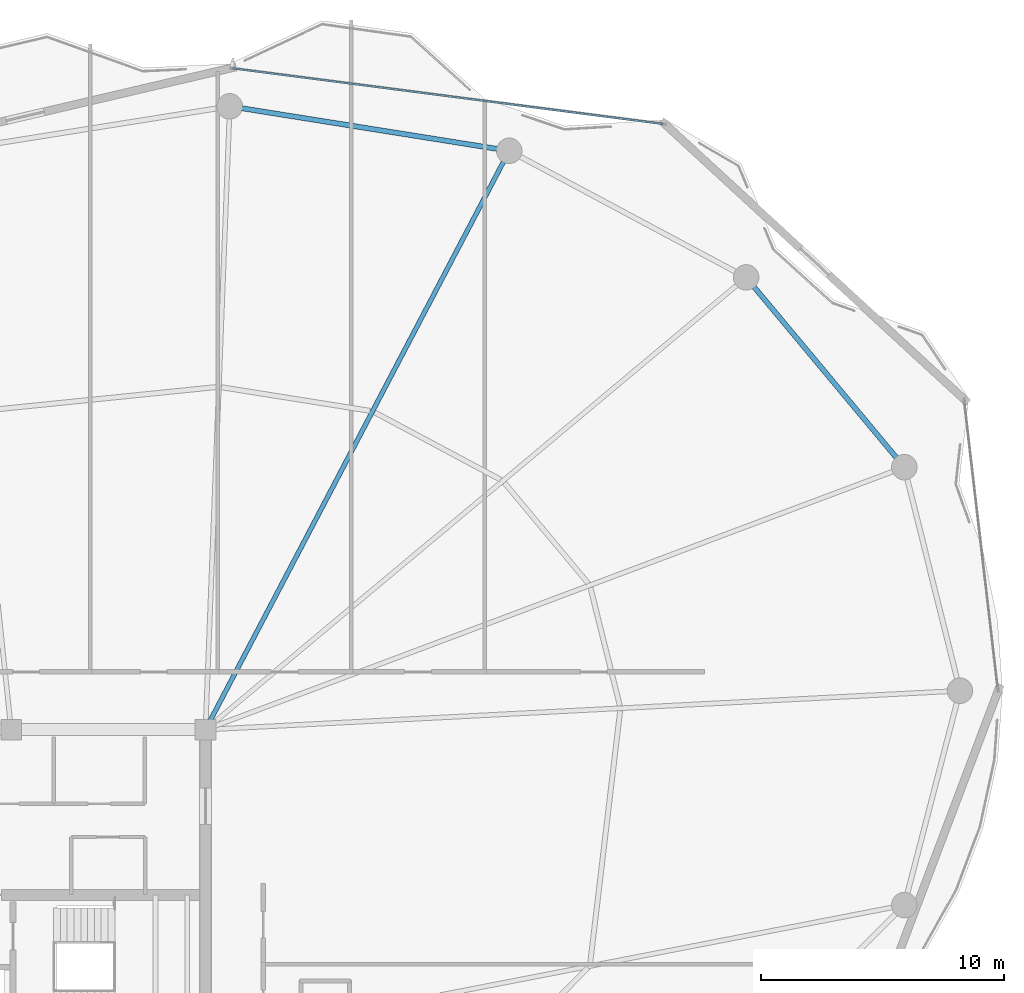
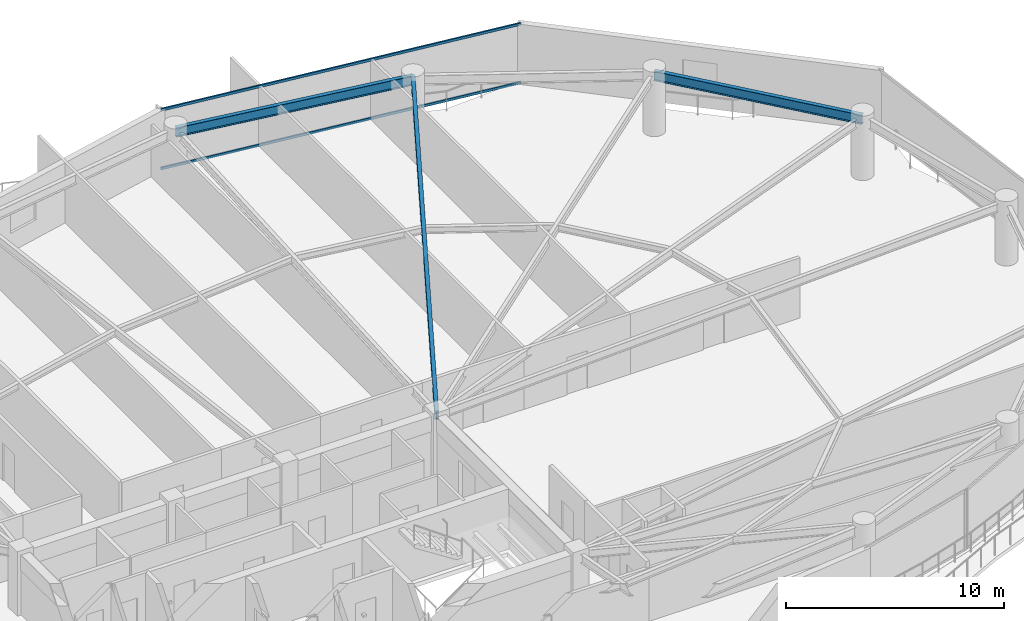
# One storey, part 21 of 31: 3 beams, 2 members, 1 element without a shape of its own.
"""IFC4 building model written with IfcOpenShell, lengths in metres."""

from ifc_helpers import new_model, si_unit, direction, frame, origin, origin_2d, place, context, subcontext, project, spatial, hollow_rectangle, i_section, extrude, material, layer, layer_set, material_profile, profile_set, type_object, element, aggregate, save


model = new_model("IFC4")

# Units and contexts
model_context = context("Model", 3, precision=1e-05, world=origin(), true_north=direction((0.0, 1.0)))
body_context = subcontext(model_context, "Body", "Model", "MODEL_VIEW")
ifc_project = project(units=[si_unit("LENGTHUNIT", "METRE"), si_unit("AREAUNIT", "SQUARE_METRE"), si_unit("VOLUMEUNIT", "CUBIC_METRE"), si_unit("PLANEANGLEUNIT", "RADIAN"), si_unit("MASSUNIT", "GRAM", prefix="KILO")], contexts=[model_context])

# Site, building, storey
site_placement = place(None, origin())
site = spatial("IfcSite", under=ifc_project, at=site_placement, CompositionType="ELEMENT")
building_placement = place(site_placement, origin())
building = spatial("IfcBuilding", under=site, at=building_placement, Name="Kazevale Care Tower and Concert Hall", CompositionType="ELEMENT")
storey_placement = place(building_placement, frame((0.0, 0.0, 217.199951171875)))
storey = spatial("IfcBuildingStorey", under=building, at=storey_placement, Name="L57", CompositionType="ELEMENT", Elevation=217.199951171875)

# Curtain wall, members
ifc_material_1 = material(Name="Aluminium 6063-T6 and Low-E Glass", Category="aluminium")
ifc_layer = layer(ifc_material_1, 0.179931640625)
ifc_layer_set = layer_set([ifc_layer], Name="Aluminium 6063-T6 and Low-E Glass")
curtain_wall_type = type_object("IfcCurtainWallType", Name="Waist & Upper Residential Curtain Wall CW-4", PredefinedType="NOTDEFINED", material=ifc_layer_set)
curtain_wall_placement = place(storey_placement, origin())
curtain_wall = element("IfcCurtainWall", 1, at=curtain_wall_placement, inside=storey, type_object=curtain_wall_type, Name="cw:L57:f16", PredefinedType="NOTDEFINED")
ifc_material_2 = material(Name="Aluminium 6063-T6", Category="aluminium")
ifc_material_profile_1 = material_profile(ifc_material_2, hollow_rectangle(XDim=0.080078125, YDim=0.139892578125, WallThickness=0.00390625, at=origin_2d()), Name="ALU80x140x4")
ifc_profile_set_1 = profile_set([ifc_material_profile_1], Name="Aluminium 6063-T6")
member_type = type_object("IfcMemberType", Name="CW-4 Transom ALU80x140x4", PredefinedType="USERDEFINED", material=ifc_profile_set_1)
member_1_placement = place(storey_placement, frame((45.123291015625, 63.61181640625, 0.0400390625), z_axis=(0.991760953967, -0.128102342625, 0.0), x_axis=(0.128102342625, 0.991760953967, 0.0)))
member_1 = element("IfcMember", 2, at=member_1_placement, type_object=member_type, Name="CW-4 transom 1.1", ObjectType="TRANSOM", PredefinedType="USERDEFINED", context=body_context, shape_type="SweptSolid", body=[
    extrude(hollow_rectangle(XDim=0.080078125, YDim=0.139892578125, WallThickness=0.00390625, at=origin_2d()), origin(), (0.0, 0.0, 1.0), 17.857666015625),
])
member_2_placement = place(storey_placement, frame((45.123291015625, 63.61181640625, 3.320068359375), z_axis=(0.991760953967, -0.128102342625, 0.0), x_axis=(0.128102342625, 0.991760953967, 0.0)))
member_2 = element("IfcMember", 3, at=member_2_placement, type_object=member_type, Name="CW-4 transom 1.2", ObjectType="TRANSOM", PredefinedType="USERDEFINED", context=body_context, shape_type="SweptSolid", body=[
    extrude(hollow_rectangle(XDim=0.080078125, YDim=0.139892578125, WallThickness=0.00390625, at=origin_2d()), origin(), (0.0, 0.0, 1.0), 17.857666015625),
])
aggregate(curtain_wall, [member_1, member_2])

# Beams
ifc_material_3 = material(Name="Steel ASTM A572 Gr 50", Category="steel")
ifc_material_profile_2 = material_profile(ifc_material_3, i_section(OverallWidth=0.19091796875, OverallDepth=0.4599609375, WebThickness=0.010009765625, FlangeThickness=0.01611328125, at=origin_2d()), Name="W460x82")
ifc_profile_set_2 = profile_set([ifc_material_profile_2], Name="Steel ASTM A572 Gr 50")
beam_type_1 = type_object("IfcBeamType", Name="Radial Floor Beam W460x82", PredefinedType="BEAM", material=ifc_profile_set_2)
beam_1_placement = place(storey_placement, frame((44.0, 36.39990234375, 3.130126953125), z_axis=(0.464672566396, 0.885482583702, 0.0), x_axis=(-0.885482583702, 0.464672566396, 0.0)))
element("IfcBeam", 4, at=beam_1_placement, inside=storey, type_object=beam_type_1, Name="beam:L57:rad:04", PredefinedType="BEAM", context=body_context, shape_type="SweptSolid", body=[
    extrude(i_section(OverallWidth=0.19091796875, OverallDepth=0.4599609375, WebThickness=0.010009765625, FlangeThickness=0.01611328125, at=origin_2d()), origin(), (0.0, 0.0, 1.0), 26.900634765625),
])
ifc_material_profile_3 = material_profile(ifc_material_3, i_section(OverallWidth=0.208984375, OverallDepth=0.532958984375, WebThickness=0.01025390625, FlangeThickness=0.015625, at=origin_2d()), Name="W530x92")
ifc_profile_set_3 = profile_set([ifc_material_profile_3], Name="Steel ASTM A572 Gr 50")
beam_type_2 = type_object("IfcBeamType", Name="Upper Ring Beam W530x92", PredefinedType="BEAM", material=ifc_profile_set_3)
beam_2_placement = place(storey_placement, frame((72.760009765625, 47.199951171875, 3.093505859375), z_axis=(-0.640278868102, 0.768142546056, 0.0), x_axis=(-0.768142546056, -0.640278868102, 0.0)))
element("IfcBeam", 5, at=beam_2_placement, inside=storey, type_object=beam_type_2, Name="beam:L57:ring:02", PredefinedType="BEAM", context=body_context, shape_type="SweptSolid", body=[
    extrude(i_section(OverallWidth=0.208984375, OverallDepth=0.532958984375, WebThickness=0.01025390625, FlangeThickness=0.015625, at=origin_2d()), origin(), (0.0, 0.0, 1.0), 10.16748046875),
])
beam_3_placement = place(storey_placement, frame((56.5, 60.219970703125, 3.093505859375), z_axis=(-0.987573207584, 0.15715966296, 0.0), x_axis=(-0.15715966296, -0.987573207584, 0.0)))
element("IfcBeam", 6, at=beam_3_placement, inside=storey, type_object=beam_type_2, Name="beam:L57:ring:04", PredefinedType="BEAM", context=body_context, shape_type="SweptSolid", body=[
    extrude(i_section(OverallWidth=0.208984375, OverallDepth=0.532958984375, WebThickness=0.01025390625, FlangeThickness=0.015625, at=origin_2d()), origin(), (0.0, 0.0, 1.0), 11.644775390625),
])

save(model, "model.ifc")
